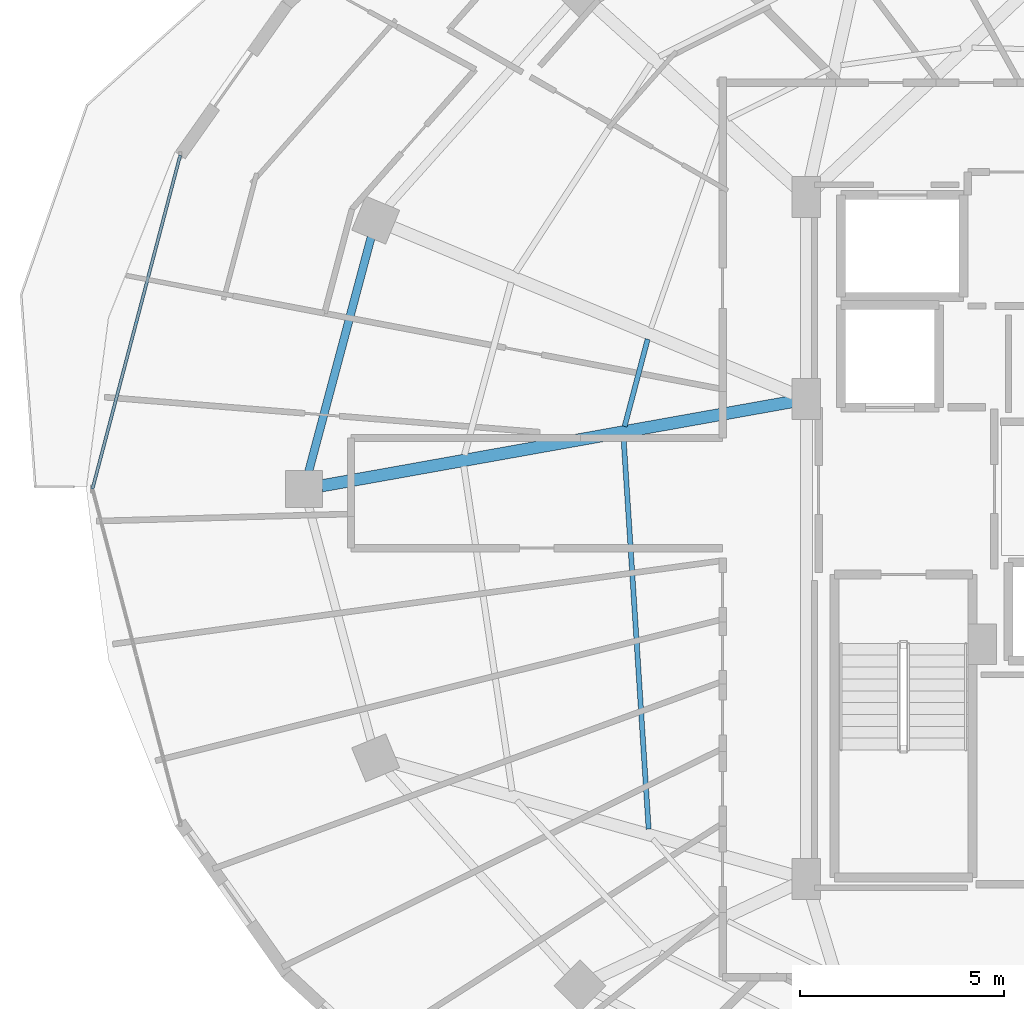
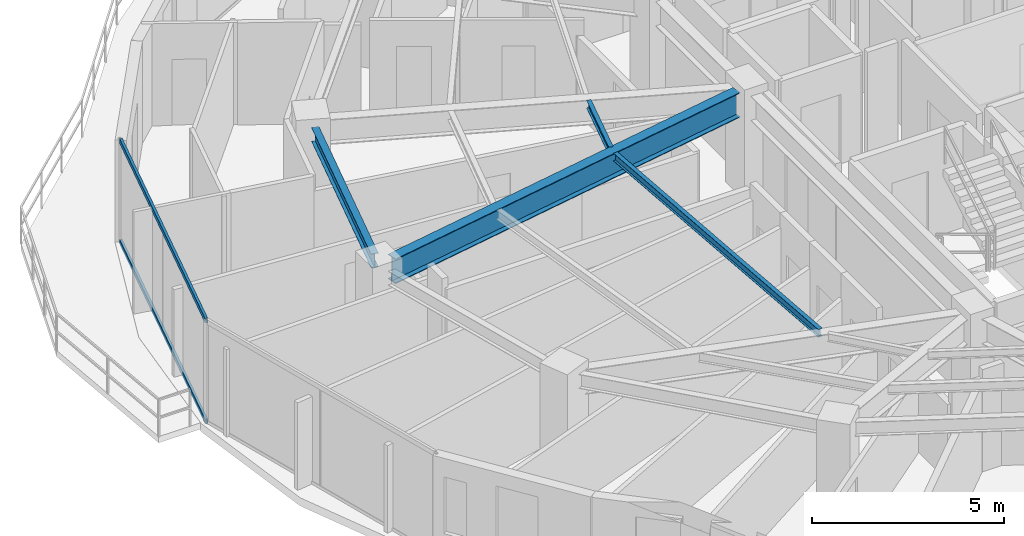
# One storey, part 8 of 31: 4 beams, 2 members, 1 element without a shape of its own.
"""IFC4 building model written with IfcOpenShell, lengths in metres."""

from ifc_helpers import new_model, si_unit, direction, frame, origin, origin_2d, place, context, subcontext, project, spatial, hollow_rectangle, i_section, extrude, material, material_profile, profile_set, type_object, element, aggregate, save


model = new_model("IFC4")

# Units and contexts
model_context = context("Model", 3, precision=1e-05, world=origin(), true_north=direction((0.0, 1.0)))
body_context = subcontext(model_context, "Body", "Model", "MODEL_VIEW")
ifc_project = project(units=[si_unit("LENGTHUNIT", "METRE"), si_unit("AREAUNIT", "SQUARE_METRE"), si_unit("VOLUMEUNIT", "CUBIC_METRE"), si_unit("PLANEANGLEUNIT", "RADIAN"), si_unit("MASSUNIT", "GRAM", prefix="KILO")], contexts=[model_context])

# Site, building, storey
site_placement = place(None, origin())
site = spatial("IfcSite", under=ifc_project, at=site_placement, CompositionType="ELEMENT")
building_placement = place(site_placement, origin())
building = spatial("IfcBuilding", under=site, at=building_placement, Name="Vorneva Point Tower", CompositionType="ELEMENT")
storey_placement = place(building_placement, frame((0.0, 0.0, 193.10009765625)))
storey = spatial("IfcBuildingStorey", under=building, at=storey_placement, Name="L52", CompositionType="ELEMENT", Elevation=193.10009765625)

# Beams
ifc_material_1 = material(Name="Steel S355", Category="steel")
ifc_material_profile_1 = material_profile(ifc_material_1, i_section(OverallWidth=0.300048828125, OverallDepth=0.7880859375, WebThickness=0.014404296875, FlangeThickness=0.02197265625, at=origin_2d()), Name="80Sh1")
ifc_profile_set_1 = profile_set([ifc_material_profile_1], Name="Steel S355")
beam_type_1 = type_object("IfcBeamType", Name="BM-GRD-80Sh1", PredefinedType="USERDEFINED", material=ifc_profile_set_1)
beam_1_placement = place(storey_placement, frame((15.381103515625, 26.0771484375, 2.845947265625), z_axis=(0.984378602255, 0.176064668298, 0.0), x_axis=(-0.176064668298, 0.984378602255, 0.0)))
element("IfcBeam", 1, at=beam_1_placement, inside=storey, type_object=beam_type_1, Name="L52 Radial Primary Girder 09", ObjectType="GIRDER", PredefinedType="USERDEFINED", context=body_context, shape_type="SweptSolid", body=[
    extrude(i_section(OverallWidth=0.300048828125, OverallDepth=0.7880859375, WebThickness=0.014404296875, FlangeThickness=0.02197265625, at=origin_2d()), origin(), (0.0, 0.0, 1.0), 11.71728515625),
])
ifc_material_profile_2 = material_profile(ifc_material_1, i_section(OverallWidth=0.1240234375, OverallDepth=0.248046875, WebThickness=0.0048828125, FlangeThickness=0.008056640625, at=origin_2d()), Name="25B1")
ifc_profile_set_2 = profile_set([ifc_material_profile_2], Name="Steel S355")
beam_type_2 = type_object("IfcBeamType", Name="BM-JST-25B1", PredefinedType="JOIST", material=ifc_profile_set_2)
beam_2_placement = place(storey_placement, frame((23.363037109375, 29.667236328125, 3.115966796875), z_axis=(-0.255537260645, -0.966799207913, 0.0), x_axis=(0.966799207913, -0.255537260645, 0.0)))
element("IfcBeam", 2, at=beam_2_placement, inside=storey, type_object=beam_type_2, Name="L52 Secondary Floor Beam 2.08", PredefinedType="JOIST", context=body_context, shape_type="SweptSolid", body=[
    extrude(i_section(OverallWidth=0.1240234375, OverallDepth=0.248046875, WebThickness=0.0048828125, FlangeThickness=0.008056640625, at=origin_2d()), origin(), (0.0, 0.0, 1.0), 2.2099609375),
])
beam_3_placement = place(storey_placement, frame((22.77197265625, 27.259765625, 3.115966796875), z_axis=(0.064039403471, -0.997947370758, 0.0), x_axis=(0.997947370758, 0.064039403471, 0.0)))
element("IfcBeam", 3, at=beam_3_placement, inside=storey, type_object=beam_type_2, Name="L52 Secondary Floor Beam 2.09", PredefinedType="JOIST", context=body_context, shape_type="SweptSolid", body=[
    extrude(i_section(OverallWidth=0.1240234375, OverallDepth=0.248046875, WebThickness=0.0048828125, FlangeThickness=0.008056640625, at=origin_2d()), origin(), (0.0, 0.0, 1.0), 9.607177734375),
])
ifc_material_profile_3 = material_profile(ifc_material_1, i_section(OverallWidth=0.198974609375, OverallDepth=0.446044921875, WebThickness=0.008056640625, FlangeThickness=0.011962890625, at=origin_2d()), Name="45B1")
ifc_profile_set_3 = profile_set([ifc_material_profile_3], Name="Steel S355")
beam_type_3 = type_object("IfcBeamType", Name="BM-SPN-45B1", PredefinedType="SPANDREL", material=ifc_profile_set_3)
beam_4_placement = place(storey_placement, frame((16.592529296875, 32.161865234375, 3.016845703125), z_axis=(-0.257578258003, -0.966257440336, 0.0), x_axis=(0.966257440336, -0.257578258003, 0.0)))
element("IfcBeam", 4, at=beam_4_placement, inside=storey, type_object=beam_type_3, Name="L52 Perimeter Spandrel Ring Beam 08", PredefinedType="SPANDREL", context=body_context, shape_type="SweptSolid", body=[
    extrude(i_section(OverallWidth=0.198974609375, OverallDepth=0.446044921875, WebThickness=0.008056640625, FlangeThickness=0.011962890625, at=origin_2d()), origin(), (0.0, 0.0, 1.0), 5.94189453125),
])

# Curtain wall, members
ifc_material_2 = material(Name="Pale anodised aluminium", Category="aluminium")
curtain_wall_type = type_object("IfcCurtainWallType", Name="CW-RES-SYS", PredefinedType="NOTDEFINED", material=ifc_material_2)
curtain_wall_placement = place(storey_placement, origin())
curtain_wall = element("IfcCurtainWall", 5, at=curtain_wall_placement, inside=storey, type_object=curtain_wall_type, Name="L52 Unitised Curtain Wall CW-L52-R03", PredefinedType="NOTDEFINED")
ifc_material_profile_4 = material_profile(ifc_material_2, hollow_rectangle(XDim=0.074951171875, YDim=0.14990234375, WallThickness=0.00390625, at=origin_2d()), Name="AL-TRN 150x75x4")
ifc_profile_set_4 = profile_set([ifc_material_profile_4], Name="Pale anodised aluminium")
member_type = type_object("IfcMemberType", Name="CW-TRN-150", PredefinedType="USERDEFINED", material=ifc_profile_set_4)
member_1_placement = place(storey_placement, frame((11.9189453125, 34.17041015625, 0.02001953125), z_axis=(-0.254362431281, -0.967108966742, 0.0), x_axis=(0.967108966742, -0.254362431281, 0.0)))
member_1 = element("IfcMember", 6, at=member_1_placement, type_object=member_type, Name="CW-L52-R03 Transom 01.1", ObjectType="TRANSOM", PredefinedType="USERDEFINED", context=body_context, shape_type="SweptSolid", body=[
    extrude(hollow_rectangle(XDim=0.074951171875, YDim=0.14990234375, WallThickness=0.00390625, at=origin_2d()), origin(), (0.0, 0.0, 1.0), 8.4482421875),
])
member_2_placement = place(storey_placement, frame((11.9189453125, 34.17041015625, 3.219970703125), z_axis=(-0.254362431281, -0.967108966742, 0.0), x_axis=(0.967108966742, -0.254362431281, 0.0)))
member_2 = element("IfcMember", 7, at=member_2_placement, type_object=member_type, Name="CW-L52-R03 Transom 01.2", ObjectType="TRANSOM", PredefinedType="USERDEFINED", context=body_context, shape_type="SweptSolid", body=[
    extrude(hollow_rectangle(XDim=0.074951171875, YDim=0.14990234375, WallThickness=0.00390625, at=origin_2d()), origin(), (0.0, 0.0, 1.0), 8.4482421875),
])
aggregate(curtain_wall, [member_1, member_2])

save(model, "model.ifc")
